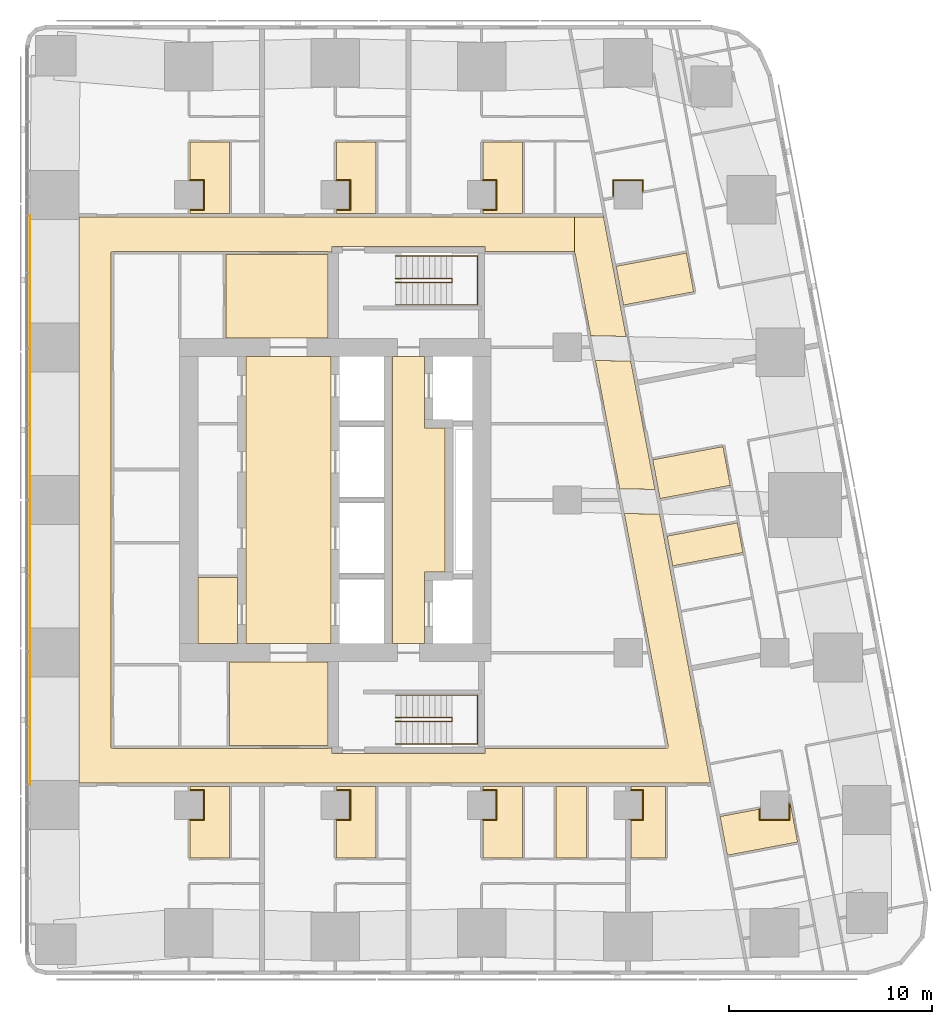
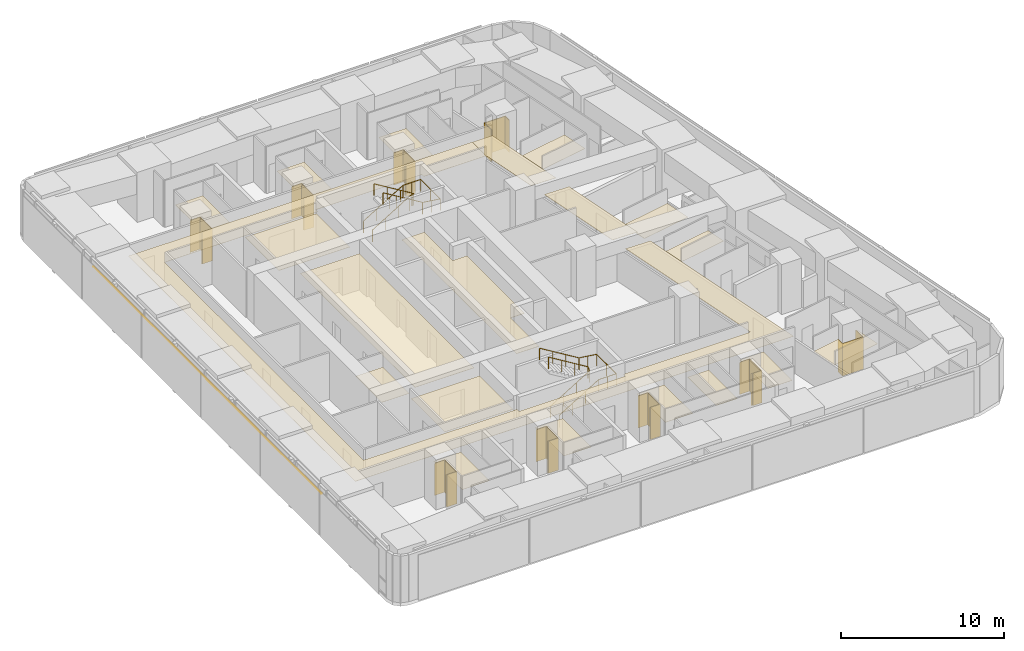
# One storey, part 17 of 17: 30 coverings, 4 railings.
"""IFC4 building model written with IfcOpenShell, lengths in metres."""

from ifc_helpers import new_model, si_unit, direction, frame, origin, origin_2d, place, context, subcontext, project, spatial, polyline, circle, outline, extrude, material, layer, layer_set, type_object, element, save


model = new_model("IFC4")

# Units and contexts
model_context = context("Model", 3, precision=1e-05, world=origin(), true_north=direction((0.0, 1.0)))
body_context = subcontext(model_context, "Body", "Model", "MODEL_VIEW")
ifc_project = project(units=[si_unit("LENGTHUNIT", "METRE"), si_unit("AREAUNIT", "SQUARE_METRE"), si_unit("VOLUMEUNIT", "CUBIC_METRE"), si_unit("PLANEANGLEUNIT", "RADIAN"), si_unit("MASSUNIT", "GRAM", prefix="KILO")], contexts=[model_context])

# Site, building, storey
site_placement = place(None, origin())
site = spatial("IfcSite", under=ifc_project, at=site_placement, CompositionType="ELEMENT")
building_placement = place(site_placement, origin())
building = spatial("IfcBuilding", under=site, at=building_placement, Name="Sheger Commons Tower", CompositionType="ELEMENT")
storey_placement = place(building_placement, frame((0.0, 0.0, 208.699951171875)))
storey = spatial("IfcBuildingStorey", under=building, at=storey_placement, Name="L53", CompositionType="ELEMENT", Elevation=208.699951171875)

# Railings
ifc_material_1 = material(Name="Steel handrail, black powder-coated", Category="steel")
railing_type = type_object("IfcRailingType", Name="HANDRAIL 900", PredefinedType="HANDRAIL", material=ifc_material_1)
railing_1_placement = place(storey_placement, frame((24.550048828125, 11.60009765625, 0.17041015625)))
element("IfcRailing", 1, at=railing_1_placement, inside=storey, type_object=railing_type, Name="Stair S1 handrail L53", PredefinedType="HANDRAIL", context=body_context, shape_type="SweptSolid", body=[
    extrude(circle(Radius=0.02392578125, at=origin_2d()), frame((0.0, 0.0, 0.8759765625), z_axis=(0.854169791009, 0.0, 0.51999420009), x_axis=(0.0, 1.0, 0.0)), (0.0, 0.0, 1.0), 3.278076171875),
    extrude(circle(Radius=0.02392578125, at=origin_2d()), frame((2.800048828125, 0.0, 2.58056640625), z_axis=(0.0, 0.761090297175, 0.648645943136), x_axis=(-1.0, 0.0, 0.0)), (0.0, 0.0, 1.0), 0.2626953125),
    extrude(circle(Radius=0.02392578125, at=origin_2d()), frame((2.800048828125, 0.199951171875, 2.7509765625), z_axis=(-0.854169791009, 0.0, 0.51999420009), x_axis=(0.0, -1.0, 0.0)), (0.0, 0.0, 1.0), 3.278076171875),
    extrude(circle(Radius=0.02099609375, at=origin_2d()), origin(), (0.0, 0.0, 1.0), 0.851806640625),
    extrude(circle(Radius=0.02099609375, at=origin_2d()), frame((0.933349609375, 0.0, 0.568115234375)), (0.0, 0.0, 1.0), 0.851806640625),
    extrude(circle(Radius=0.02099609375, at=origin_2d()), frame((1.86669921875, 0.0, 1.136474609375)), (0.0, 0.0, 1.0), 0.851806640625),
    extrude(circle(Radius=0.02099609375, at=origin_2d()), frame((2.800048828125, 0.0, 1.70458984375)), (0.0, 0.0, 1.0), 0.851806640625),
    extrude(circle(Radius=0.02099609375, at=origin_2d()), frame((2.800048828125, 0.199951171875, 1.875)), (0.0, 0.0, 1.0), 0.851806640625),
    extrude(circle(Radius=0.02099609375, at=origin_2d()), frame((1.86669921875, 0.199951171875, 2.443115234375)), (0.0, 0.0, 1.0), 0.851806640625),
    extrude(circle(Radius=0.02099609375, at=origin_2d()), frame((0.933349609375, 0.199951171875, 3.011474609375)), (0.0, 0.0, 1.0), 0.851806640625),
    extrude(circle(Radius=0.02099609375, at=origin_2d()), frame((0.0, 0.199951171875, 3.57958984375)), (0.0, 0.0, 1.0), 0.851806640625),
])
railing_2_placement = place(storey_placement, frame((24.550048828125, 10.5, 0.17041015625)))
element("IfcRailing", 2, at=railing_2_placement, inside=storey, type_object=railing_type, Name="Stair S1 handrail L53", PredefinedType="HANDRAIL", context=body_context, shape_type="SweptSolid", body=[
    extrude(circle(Radius=0.02392578125, at=origin_2d()), frame((0.0, 0.0, 0.8759765625), z_axis=(0.854169791009, 0.0, 0.51999420009), x_axis=(0.0, 1.0, 0.0)), (0.0, 0.0, 1.0), 3.278076171875),
    extrude(circle(Radius=0.02392578125, at=origin_2d()), frame((2.800048828125, 0.0, 2.58056640625), z_axis=(1.0, 0.0, 0.0), x_axis=(0.0, 1.0, 0.0)), (0.0, 0.0, 1.0), 1.25),
    extrude(circle(Radius=0.02392578125, at=origin_2d()), frame((4.050048828125, 0.0, 2.58056640625), z_axis=(0.0, 1.0, 0.0), x_axis=(-1.0, 0.0, 0.0)), (0.0, 0.0, 1.0), 2.39990234375),
    extrude(circle(Radius=0.02392578125, at=origin_2d()), frame((4.050048828125, 2.39990234375, 2.58056640625), z_axis=(-0.990834877927, 0.0, 0.135078661092), x_axis=(0.0, -1.0, 0.0)), (0.0, 0.0, 1.0), 1.261474609375),
    extrude(circle(Radius=0.02392578125, at=origin_2d()), frame((2.800048828125, 2.39990234375, 2.7509765625), z_axis=(-0.854169791009, 0.0, 0.51999420009), x_axis=(0.0, -1.0, 0.0)), (0.0, 0.0, 1.0), 3.278076171875),
    extrude(circle(Radius=0.02099609375, at=origin_2d()), origin(), (0.0, 0.0, 1.0), 0.851806640625),
    extrude(circle(Radius=0.02099609375, at=origin_2d()), frame((0.933349609375, 0.0, 0.568115234375)), (0.0, 0.0, 1.0), 0.851806640625),
    extrude(circle(Radius=0.02099609375, at=origin_2d()), frame((1.86669921875, 0.0, 1.136474609375)), (0.0, 0.0, 1.0), 0.851806640625),
    extrude(circle(Radius=0.02099609375, at=origin_2d()), frame((2.800048828125, 0.0, 1.70458984375)), (0.0, 0.0, 1.0), 0.851806640625),
    extrude(circle(Radius=0.02099609375, at=origin_2d()), frame((3.425048828125, 0.0, 1.70458984375)), (0.0, 0.0, 1.0), 0.851806640625),
    extrude(circle(Radius=0.02099609375, at=origin_2d()), frame((4.050048828125, 0.0, 1.70458984375)), (0.0, 0.0, 1.0), 0.851806640625),
    extrude(circle(Radius=0.02099609375, at=origin_2d()), frame((4.050048828125, 1.199951171875, 1.70458984375)), (0.0, 0.0, 1.0), 0.851806640625),
    extrude(circle(Radius=0.02099609375, at=origin_2d()), frame((4.050048828125, 2.39990234375, 1.70458984375)), (0.0, 0.0, 1.0), 0.851806640625),
    extrude(circle(Radius=0.02099609375, at=origin_2d()), frame((3.425048828125, 2.39990234375, 1.789794921875)), (0.0, 0.0, 1.0), 0.851806640625),
    extrude(circle(Radius=0.02099609375, at=origin_2d()), frame((2.800048828125, 2.39990234375, 1.875)), (0.0, 0.0, 1.0), 0.851806640625),
    extrude(circle(Radius=0.02099609375, at=origin_2d()), frame((1.86669921875, 2.39990234375, 2.443115234375)), (0.0, 0.0, 1.0), 0.851806640625),
    extrude(circle(Radius=0.02099609375, at=origin_2d()), frame((0.933349609375, 2.39990234375, 3.011474609375)), (0.0, 0.0, 1.0), 0.851806640625),
    extrude(circle(Radius=0.02099609375, at=origin_2d()), frame((0.0, 2.39990234375, 3.57958984375)), (0.0, 0.0, 1.0), 0.851806640625),
])
railing_3_placement = place(storey_placement, frame((24.550048828125, 33.39990234375, 0.17041015625)))
element("IfcRailing", 3, at=railing_3_placement, inside=storey, type_object=railing_type, Name="Stair S2 handrail L53", PredefinedType="HANDRAIL", context=body_context, shape_type="SweptSolid", body=[
    extrude(circle(Radius=0.02392578125, at=origin_2d()), frame((0.0, 0.0, 0.8759765625), z_axis=(0.854169791009, 0.0, 0.51999420009), x_axis=(0.0, 1.0, 0.0)), (0.0, 0.0, 1.0), 3.278076171875),
    extrude(circle(Radius=0.02392578125, at=origin_2d()), frame((2.800048828125, 0.0, 2.58056640625), z_axis=(0.0, -0.761090297175, 0.648645943136), x_axis=(1.0, 0.0, 0.0)), (0.0, 0.0, 1.0), 0.2626953125),
    extrude(circle(Radius=0.02392578125, at=origin_2d()), frame((2.800048828125, -0.199951171875, 2.7509765625), z_axis=(-0.854169791009, 0.0, 0.51999420009), x_axis=(0.0, -1.0, 0.0)), (0.0, 0.0, 1.0), 3.278076171875),
    extrude(circle(Radius=0.02099609375, at=origin_2d()), origin(), (0.0, 0.0, 1.0), 0.851806640625),
    extrude(circle(Radius=0.02099609375, at=origin_2d()), frame((0.933349609375, 0.0, 0.568115234375)), (0.0, 0.0, 1.0), 0.851806640625),
    extrude(circle(Radius=0.02099609375, at=origin_2d()), frame((1.86669921875, 0.0, 1.136474609375)), (0.0, 0.0, 1.0), 0.851806640625),
    extrude(circle(Radius=0.02099609375, at=origin_2d()), frame((2.800048828125, 0.0, 1.70458984375)), (0.0, 0.0, 1.0), 0.851806640625),
    extrude(circle(Radius=0.02099609375, at=origin_2d()), frame((2.800048828125, -0.199951171875, 1.875)), (0.0, 0.0, 1.0), 0.851806640625),
    extrude(circle(Radius=0.02099609375, at=origin_2d()), frame((1.86669921875, -0.199951171875, 2.443115234375)), (0.0, 0.0, 1.0), 0.851806640625),
    extrude(circle(Radius=0.02099609375, at=origin_2d()), frame((0.933349609375, -0.199951171875, 3.011474609375)), (0.0, 0.0, 1.0), 0.851806640625),
    extrude(circle(Radius=0.02099609375, at=origin_2d()), frame((0.0, -0.199951171875, 3.57958984375)), (0.0, 0.0, 1.0), 0.851806640625),
])
railing_4_placement = place(storey_placement, frame((24.550048828125, 34.5, 0.17041015625)))
element("IfcRailing", 4, at=railing_4_placement, inside=storey, type_object=railing_type, Name="Stair S2 handrail L53", PredefinedType="HANDRAIL", context=body_context, shape_type="SweptSolid", body=[
    extrude(circle(Radius=0.02392578125, at=origin_2d()), frame((0.0, 0.0, 0.8759765625), z_axis=(0.854169791009, 0.0, 0.51999420009), x_axis=(0.0, 1.0, 0.0)), (0.0, 0.0, 1.0), 3.278076171875),
    extrude(circle(Radius=0.02392578125, at=origin_2d()), frame((2.800048828125, 0.0, 2.58056640625), z_axis=(1.0, 0.0, 0.0), x_axis=(0.0, 1.0, 0.0)), (0.0, 0.0, 1.0), 1.25),
    extrude(circle(Radius=0.02392578125, at=origin_2d()), frame((4.050048828125, 0.0, 2.58056640625), z_axis=(0.0, -1.0, 0.0), x_axis=(1.0, 0.0, 0.0)), (0.0, 0.0, 1.0), 2.39990234375),
    extrude(circle(Radius=0.02392578125, at=origin_2d()), frame((4.050048828125, -2.39990234375, 2.58056640625), z_axis=(-0.990834877927, 0.0, 0.135078661092), x_axis=(0.0, -1.0, 0.0)), (0.0, 0.0, 1.0), 1.261474609375),
    extrude(circle(Radius=0.02392578125, at=origin_2d()), frame((2.800048828125, -2.39990234375, 2.7509765625), z_axis=(-0.854169791009, 0.0, 0.51999420009), x_axis=(0.0, -1.0, 0.0)), (0.0, 0.0, 1.0), 3.278076171875),
    extrude(circle(Radius=0.02099609375, at=origin_2d()), origin(), (0.0, 0.0, 1.0), 0.851806640625),
    extrude(circle(Radius=0.02099609375, at=origin_2d()), frame((0.933349609375, 0.0, 0.568115234375)), (0.0, 0.0, 1.0), 0.851806640625),
    extrude(circle(Radius=0.02099609375, at=origin_2d()), frame((1.86669921875, 0.0, 1.136474609375)), (0.0, 0.0, 1.0), 0.851806640625),
    extrude(circle(Radius=0.02099609375, at=origin_2d()), frame((2.800048828125, 0.0, 1.70458984375)), (0.0, 0.0, 1.0), 0.851806640625),
    extrude(circle(Radius=0.02099609375, at=origin_2d()), frame((3.425048828125, 0.0, 1.70458984375)), (0.0, 0.0, 1.0), 0.851806640625),
    extrude(circle(Radius=0.02099609375, at=origin_2d()), frame((4.050048828125, 0.0, 1.70458984375)), (0.0, 0.0, 1.0), 0.851806640625),
    extrude(circle(Radius=0.02099609375, at=origin_2d()), frame((4.050048828125, -1.199951171875, 1.70458984375)), (0.0, 0.0, 1.0), 0.851806640625),
    extrude(circle(Radius=0.02099609375, at=origin_2d()), frame((4.050048828125, -2.39990234375, 1.70458984375)), (0.0, 0.0, 1.0), 0.851806640625),
    extrude(circle(Radius=0.02099609375, at=origin_2d()), frame((3.425048828125, -2.39990234375, 1.789794921875)), (0.0, 0.0, 1.0), 0.851806640625),
    extrude(circle(Radius=0.02099609375, at=origin_2d()), frame((2.800048828125, -2.39990234375, 1.875)), (0.0, 0.0, 1.0), 0.851806640625),
    extrude(circle(Radius=0.02099609375, at=origin_2d()), frame((1.86669921875, -2.39990234375, 2.443115234375)), (0.0, 0.0, 1.0), 0.851806640625),
    extrude(circle(Radius=0.02099609375, at=origin_2d()), frame((0.933349609375, -2.39990234375, 3.011474609375)), (0.0, 0.0, 1.0), 0.851806640625),
    extrude(circle(Radius=0.02099609375, at=origin_2d()), frame((0.0, -2.39990234375, 3.57958984375)), (0.0, 0.0, 1.0), 0.851806640625),
])

# Coverings
ifc_material_2 = material(Name="Moisture-resistant gypsum plasterboard 15 mm on a suspended galvanised steel grid", Category="steel")
ifc_layer_1 = layer(ifc_material_2, 0.014892578125)
ifc_layer_set_1 = layer_set([ifc_layer_1], Name="MOISTURE-RESISTANT CEILING 15")
covering_type_1 = type_object("IfcCoveringType", Name="MOISTURE-RESISTANT CEILING 15", PredefinedType="CEILING", material=ifc_layer_set_1)
covering_1_placement = place(storey_placement, frame((0.0, 0.0, 2.400146484375)))
element("IfcCovering", 5, at=covering_1_placement, inside=storey, type_object=covering_type_1, Name="L53-01.B1 ceiling", PredefinedType="CEILING", context=body_context, shape_type="SweptSolid", body=[
    extrude(outline(polyline([(14.455078125, 4.905029296875), (16.39501953125, 4.905029296875), (16.39501953125, 8.419921875), (14.455078125, 8.419921875), (14.455078125, 8.205078125), (15.10498046875, 8.205078125), (15.10498046875, 6.794921875), (14.455078125, 6.794921875), (14.455078125, 4.905029296875)])), origin(), (0.0, 0.0, 1.0), 0.014892578125),
])
covering_2_placement = place(storey_placement, frame((0.0, 0.0, 2.400146484375)))
element("IfcCovering", 6, at=covering_2_placement, inside=storey, type_object=covering_type_1, Name="L53-02.B1 ceiling", PredefinedType="CEILING", context=body_context, shape_type="SweptSolid", body=[
    extrude(outline(polyline([(21.655029296875, 4.905029296875), (23.594970703125, 4.905029296875), (23.594970703125, 8.419921875), (21.655029296875, 8.419921875), (21.655029296875, 8.205078125), (22.304931640625, 8.205078125), (22.304931640625, 6.794921875), (21.655029296875, 6.794921875), (21.655029296875, 4.905029296875)])), origin(), (0.0, 0.0, 1.0), 0.014892578125),
])
covering_3_placement = place(storey_placement, frame((0.0, 0.0, 2.400146484375)))
element("IfcCovering", 7, at=covering_3_placement, inside=storey, type_object=covering_type_1, Name="L53-03.B1 ceiling", PredefinedType="CEILING", context=body_context, shape_type="SweptSolid", body=[
    extrude(outline(polyline([(28.85498046875, 4.905029296875), (30.794921875, 4.905029296875), (30.794921875, 8.419921875), (28.85498046875, 8.419921875), (28.85498046875, 8.205078125), (29.5048828125, 8.205078125), (29.5048828125, 6.794921875), (28.85498046875, 6.794921875), (28.85498046875, 4.905029296875)])), origin(), (0.0, 0.0, 1.0), 0.014892578125),
])
covering_4_placement = place(storey_placement, frame((0.0, 0.0, 2.400146484375)))
element("IfcCovering", 8, at=covering_4_placement, inside=storey, type_object=covering_type_1, Name="L53-03.B2 ceiling", PredefinedType="CEILING", context=body_context, shape_type="SweptSolid", body=[
    extrude(outline(polyline([(32.455078125, 4.905029296875), (33.945068359375, 4.905029296875), (33.945068359375, 8.419921875), (32.455078125, 8.419921875), (32.455078125, 4.905029296875)])), origin(), (0.0, 0.0, 1.0), 0.014892578125),
])
covering_5_placement = place(storey_placement, frame((0.0, 0.0, 2.400146484375)))
element("IfcCovering", 9, at=covering_5_placement, inside=storey, type_object=covering_type_1, Name="L53-04.B1 ceiling", PredefinedType="CEILING", context=body_context, shape_type="SweptSolid", body=[
    extrude(outline(polyline([(36.1298828125, 4.905029296875), (37.8349609375, 4.905029296875), (37.8349609375, 8.419921875), (36.1298828125, 8.419921875), (36.1298828125, 8.205078125), (36.705078125, 8.205078125), (36.705078125, 6.794921875), (36.1298828125, 6.794921875), (36.1298828125, 4.905029296875)])), origin(), (0.0, 0.0, 1.0), 0.014892578125),
])
covering_6_placement = place(storey_placement, frame((0.0, 0.0, 2.400146484375)))
element("IfcCovering", 10, at=covering_6_placement, inside=storey, type_object=covering_type_1, Name="L53-05.B1 ceiling", PredefinedType="CEILING", context=body_context, shape_type="SweptSolid", body=[
    extrude(outline(polyline([(35.77099609375, 32.083984375), (39.22412109375, 32.736083984375), (38.864013671875, 34.64208984375), (35.410888671875, 33.989990234375), (35.77099609375, 32.083984375)])), origin(), (0.0, 0.0, 1.0), 0.014892578125),
])
covering_7_placement = place(storey_placement, frame((0.0, 0.0, 2.400146484375)))
element("IfcCovering", 11, at=covering_7_placement, inside=storey, type_object=covering_type_1, Name="L53-06.B1 ceiling", PredefinedType="CEILING", context=body_context, shape_type="SweptSolid", body=[
    extrude(outline(polyline([(37.568115234375, 22.569091796875), (41.02197265625, 23.220947265625), (40.662109375, 25.1279296875), (37.2080078125, 24.47509765625), (37.568115234375, 22.569091796875)])), origin(), (0.0, 0.0, 1.0), 0.014892578125),
])
covering_8_placement = place(storey_placement, frame((0.0, 0.0, 2.400146484375)))
element("IfcCovering", 12, at=covering_8_placement, inside=storey, type_object=covering_type_1, Name="L53-06.B2 ceiling", PredefinedType="CEILING", context=body_context, shape_type="SweptSolid", body=[
    extrude(outline(polyline([(38.193115234375, 19.260986328125), (41.64697265625, 19.9140625), (41.37109375, 21.3779296875), (37.916015625, 20.72607421875), (38.193115234375, 19.260986328125)])), origin(), (0.0, 0.0, 1.0), 0.014892578125),
])
covering_9_placement = place(storey_placement, frame((0.0, 0.0, 2.400146484375)))
element("IfcCovering", 13, at=covering_9_placement, inside=storey, type_object=covering_type_1, Name="L53-07.B1 ceiling", PredefinedType="CEILING", context=body_context, shape_type="SweptSolid", body=[
    extrude(outline(polyline([(40.8798828125, 5.031982421875), (44.333984375, 5.68408203125), (43.97412109375, 7.591064453125), (43.9150390625, 7.580078125), (43.906982421875, 7.623046875), (43.905029296875, 7.623046875), (43.905029296875, 6.794921875), (42.4951171875, 6.794921875), (42.4951171875, 7.31103515625), (40.52001953125, 6.93798828125), (40.8798828125, 5.031982421875)])), origin(), (0.0, 0.0, 1.0), 0.014892578125),
])
covering_10_placement = place(storey_placement, frame((0.0, 0.0, 2.400146484375)))
element("IfcCovering", 14, at=covering_10_placement, inside=storey, type_object=covering_type_1, Name="L53-08.B1 ceiling", PredefinedType="CEILING", context=body_context, shape_type="SweptSolid", body=[
    extrude(outline(polyline([(14.455078125, 36.580078125), (16.39501953125, 36.580078125), (16.39501953125, 40.094970703125), (14.455078125, 40.094970703125), (14.455078125, 38.205078125), (15.10498046875, 38.205078125), (15.10498046875, 36.794921875), (14.455078125, 36.794921875), (14.455078125, 36.580078125)])), origin(), (0.0, 0.0, 1.0), 0.014892578125),
])
covering_11_placement = place(storey_placement, frame((0.0, 0.0, 2.400146484375)))
element("IfcCovering", 15, at=covering_11_placement, inside=storey, type_object=covering_type_1, Name="L53-09.B1 ceiling", PredefinedType="CEILING", context=body_context, shape_type="SweptSolid", body=[
    extrude(outline(polyline([(21.655029296875, 36.580078125), (23.594970703125, 36.580078125), (23.594970703125, 40.094970703125), (21.655029296875, 40.094970703125), (21.655029296875, 38.205078125), (22.304931640625, 38.205078125), (22.304931640625, 36.794921875), (21.655029296875, 36.794921875), (21.655029296875, 36.580078125)])), origin(), (0.0, 0.0, 1.0), 0.014892578125),
])
covering_12_placement = place(storey_placement, frame((0.0, 0.0, 2.400146484375)))
element("IfcCovering", 16, at=covering_12_placement, inside=storey, type_object=covering_type_1, Name="L53-10.B1 ceiling", PredefinedType="CEILING", context=body_context, shape_type="SweptSolid", body=[
    extrude(outline(polyline([(28.85498046875, 36.580078125), (30.794921875, 36.580078125), (30.794921875, 40.094970703125), (28.85498046875, 40.094970703125), (28.85498046875, 38.205078125), (29.5048828125, 38.205078125), (29.5048828125, 36.794921875), (28.85498046875, 36.794921875), (28.85498046875, 36.580078125)])), origin(), (0.0, 0.0, 1.0), 0.014892578125),
])
covering_13_placement = place(storey_placement, frame((0.0, 0.0, 2.400146484375)))
element("IfcCovering", 17, at=covering_13_placement, inside=storey, type_object=covering_type_1, Name="L53-CRB1 ceiling", PredefinedType="CEILING", context=body_context, shape_type="SweptSolid", body=[
    extrude(outline(polyline([(14.85498046875, 15.455078125), (16.794921875, 15.455078125), (16.794921875, 18.68310546875), (14.85498046875, 18.68310546875), (14.85498046875, 15.455078125)])), origin(), (0.0, 0.0, 1.0), 0.014892578125),
])
ifc_material_3 = material(Name="Gypsum plasterboard 15 mm on a suspended steel grid", Category="steel")
ifc_layer_2 = layer(ifc_material_3, 0.014892578125)
ifc_layer_set_2 = layer_set([ifc_layer_2], Name="SUSPENDED CEILING 15")
covering_type_2 = type_object("IfcCoveringType", Name="SUSPENDED CEILING 15", PredefinedType="CEILING", material=ifc_layer_set_2)
covering_14_placement = place(storey_placement, frame((0.0, 0.0, 2.699951171875)))
element("IfcCovering", 18, at=covering_14_placement, inside=storey, type_object=covering_type_2, Name="L53-CO ceiling", PredefinedType="CEILING", context=body_context, shape_type="SweptSolid", body=[
    extrude(outline(polyline([(6.554931640625, 8.5), (6.594970703125, 8.5), (6.594970703125, 36.5), (6.554931640625, 36.5), (6.554931640625, 8.5)])), origin(), (0.0, 0.0, 1.0), 0.01513671875),
])
covering_15_placement = place(storey_placement, frame((0.0, 0.0, 2.699951171875)))
element("IfcCovering", 19, at=covering_15_placement, inside=storey, type_object=covering_type_2, Name="L53-CO ceiling", PredefinedType="CEILING", context=body_context, shape_type="SweptSolid", body=[
    extrude(outline(polyline([(9.0048828125, 8.580078125), (40.047119140625, 8.580078125), (37.550048828125, 21.802978515625), (35.81103515625, 21.837890625), (37.967041015625, 10.4208984375), (37.949951171875, 10.4169921875), (37.971923828125, 10.300048828125), (37.841064453125, 10.300048828125), (37.841064453125, 10.281982421875), (28.955078125, 10.281982421875), (28.955078125, 10.044921875), (21.445068359375, 10.044921875), (21.445068359375, 10.300048828125), (21.2548828125, 10.300048828125), (21.2548828125, 10.281982421875), (10.7080078125, 10.281982421875), (10.7080078125, 10.294921875), (10.58203125, 10.294921875), (10.58203125, 34.705078125), (10.7080078125, 34.705078125), (10.7080078125, 34.718017578125), (21.2548828125, 34.718017578125), (21.2548828125, 34.699951171875), (21.445068359375, 34.699951171875), (21.445068359375, 34.955078125), (28.955078125, 34.955078125), (28.955078125, 34.718017578125), (33.3359375, 34.718017578125), (33.3359375, 34.699951171875), (33.361083984375, 34.699951171875), (33.361083984375, 36.419921875), (9.0048828125, 36.419921875), (9.0048828125, 8.580078125)])), origin(), (0.0, 0.0, 1.0), 0.01513671875),
])
covering_16_placement = place(storey_placement, frame((0.0, 0.0, 2.699951171875)))
element("IfcCovering", 20, at=covering_16_placement, inside=storey, type_object=covering_type_2, Name="L53-CO ceiling", PredefinedType="CEILING", context=body_context, shape_type="SweptSolid", body=[
    extrude(outline(polyline([(37.321044921875, 23.01806640625), (36.12890625, 29.323974609375), (34.388916015625, 29.363037109375), (35.5810546875, 23.052978515625), (37.321044921875, 23.01806640625)])), origin(), (0.0, 0.0, 1.0), 0.01513671875),
])
covering_17_placement = place(storey_placement, frame((0.0, 0.0, 2.699951171875)))
element("IfcCovering", 21, at=covering_17_placement, inside=storey, type_object=covering_type_2, Name="L53-CO ceiling", PredefinedType="CEILING", context=body_context, shape_type="SweptSolid", body=[
    extrude(outline(polyline([(35.89990234375, 30.5400390625), (34.77392578125, 36.5), (34.77001953125, 36.5), (34.77001953125, 36.419921875), (33.365966796875, 36.419921875), (33.365966796875, 34.697998046875), (33.364013671875, 34.697998046875), (33.382080078125, 34.60205078125), (33.39892578125, 34.60498046875), (34.159912109375, 30.5791015625), (35.89990234375, 30.5400390625)])), origin(), (0.0, 0.0, 1.0), 0.01513671875),
])
covering_18_placement = place(storey_placement, frame((0.0, 0.0, 2.699951171875)))
element("IfcCovering", 22, at=covering_18_placement, inside=storey, type_object=covering_type_2, Name="L53-SVS1 ceiling", PredefinedType="CEILING", context=body_context, shape_type="SweptSolid", body=[
    extrude(outline(polyline([(16.406982421875, 10.41796875), (21.2451171875, 10.41796875), (21.2451171875, 14.544921875), (16.406982421875, 14.544921875), (16.406982421875, 10.41796875)])), origin(), (0.0, 0.0, 1.0), 0.01513671875),
])
covering_19_placement = place(storey_placement, frame((0.0, 0.0, 2.699951171875)))
element("IfcCovering", 23, at=covering_19_placement, inside=storey, type_object=covering_type_2, Name="L53-SVN1 ceiling", PredefinedType="CEILING", context=body_context, shape_type="SweptSolid", body=[
    extrude(outline(polyline([(16.217041015625, 30.455078125), (21.2451171875, 30.455078125), (21.2451171875, 34.58203125), (16.217041015625, 34.58203125), (16.217041015625, 30.455078125)])), origin(), (0.0, 0.0, 1.0), 0.01513671875),
])
covering_20_placement = place(storey_placement, frame((0.0, 0.0, 2.699951171875)))
element("IfcCovering", 24, at=covering_20_placement, inside=storey, type_object=covering_type_2, Name="L53-LL ceiling", PredefinedType="CEILING", context=body_context, shape_type="SweptSolid", body=[
    extrude(outline(polyline([(17.205078125, 15.455078125), (21.39990234375, 15.455078125), (21.39990234375, 29.544921875), (17.205078125, 29.544921875), (17.205078125, 15.455078125)])), origin(), (0.0, 0.0, 1.0), 0.01513671875),
])
covering_21_placement = place(storey_placement, frame((0.0, 0.0, 2.699951171875)))
element("IfcCovering", 25, at=covering_21_placement, inside=storey, type_object=covering_type_2, Name="L53-FL ceiling", PredefinedType="CEILING", context=body_context, shape_type="SweptSolid", body=[
    extrude(outline(polyline([(24.405029296875, 15.455078125), (25.9951171875, 15.455078125), (25.9951171875, 18.955078125), (26.9951171875, 18.955078125), (26.9951171875, 26.044921875), (25.9951171875, 26.044921875), (25.9951171875, 29.544921875), (24.405029296875, 29.544921875), (24.405029296875, 15.455078125)])), origin(), (0.0, 0.0, 1.0), 0.01513671875),
])
ifc_material_4 = material(Name="Moisture-resistant gypsum board 12.5 mm on 25 mm treated timber battens, tanked and tiled", Category="wood")
ifc_layer_3 = layer(ifc_material_4, 0.050048828125)
ifc_layer_set_3 = layer_set([ifc_layer_3], Name="WET-ROOM COLUMN LINING")
covering_type_3 = type_object("IfcCoveringType", Name="WET-ROOM COLUMN LINING", PredefinedType="CLADDING", material=ifc_layer_set_3)
covering_22_placement = place(storey_placement, origin())
element("IfcCovering", 26, at=covering_22_placement, inside=storey, type_object=covering_type_3, Name="Bathroom column lining C11 L53", PredefinedType="CLADDING", context=body_context, shape_type="SweptSolid", body=[
    extrude(outline(polyline([(15.14990234375, 6.75), (14.449951171875, 6.75), (14.449951171875, 6.799072265625), (14.39990234375, 6.799072265625), (14.39990234375, 6.800048828125), (15.10009765625, 6.800048828125), (15.10009765625, 8.199951171875), (14.39990234375, 8.199951171875), (14.39990234375, 8.200927734375), (14.449951171875, 8.200927734375), (14.449951171875, 8.25), (15.14990234375, 8.25), (15.14990234375, 6.75)])), origin(), (0.0, 0.0, 1.0), 2.400146484375),
])
covering_23_placement = place(storey_placement, origin())
element("IfcCovering", 27, at=covering_23_placement, inside=storey, type_object=covering_type_3, Name="Bathroom column lining C11 L53", PredefinedType="CLADDING", context=body_context, shape_type="SweptSolid", body=[
    extrude(outline(polyline([(22.35009765625, 6.75), (21.64990234375, 6.75), (21.64990234375, 6.799072265625), (21.60009765625, 6.799072265625), (21.60009765625, 6.800048828125), (22.300048828125, 6.800048828125), (22.300048828125, 8.199951171875), (21.60009765625, 8.199951171875), (21.60009765625, 8.200927734375), (21.64990234375, 8.200927734375), (21.64990234375, 8.25), (22.35009765625, 8.25), (22.35009765625, 6.75)])), origin(), (0.0, 0.0, 1.0), 2.400146484375),
])
covering_24_placement = place(storey_placement, origin())
element("IfcCovering", 28, at=covering_24_placement, inside=storey, type_object=covering_type_3, Name="Bathroom column lining C11 L53", PredefinedType="CLADDING", context=body_context, shape_type="SweptSolid", body=[
    extrude(outline(polyline([(29.550048828125, 6.75), (28.85009765625, 6.75), (28.85009765625, 6.799072265625), (28.800048828125, 6.799072265625), (28.800048828125, 6.800048828125), (29.5, 6.800048828125), (29.5, 8.199951171875), (28.800048828125, 8.199951171875), (28.800048828125, 8.200927734375), (28.85009765625, 8.200927734375), (28.85009765625, 8.25), (29.550048828125, 8.25), (29.550048828125, 6.75)])), origin(), (0.0, 0.0, 1.0), 2.400146484375),
])
covering_25_placement = place(storey_placement, origin())
element("IfcCovering", 29, at=covering_25_placement, inside=storey, type_object=covering_type_3, Name="Shower room column lining C11 L53", PredefinedType="CLADDING", context=body_context, shape_type="SweptSolid", body=[
    extrude(outline(polyline([(36.75, 6.75), (36.125, 6.75), (36.125, 6.799072265625), (36.0, 6.799072265625), (36.0, 6.800048828125), (36.699951171875, 6.800048828125), (36.699951171875, 8.199951171875), (36.0, 8.199951171875), (36.0, 8.200927734375), (36.125, 8.200927734375), (36.125, 8.25), (36.75, 8.25), (36.75, 6.75)])), origin(), (0.0, 0.0, 1.0), 2.400146484375),
])
covering_26_placement = place(storey_placement, origin())
element("IfcCovering", 30, at=covering_26_placement, inside=storey, type_object=covering_type_3, Name="Bathroom column lining C11 L53", PredefinedType="CLADDING", context=body_context, shape_type="SweptSolid", body=[
    extrude(outline(polyline([(42.5, 7.367919921875), (42.5, 6.800048828125), (43.89990234375, 6.800048828125), (43.89990234375, 7.633056640625), (43.909912109375, 7.635009765625), (43.9189453125, 7.5859375), (43.949951171875, 7.592041015625), (43.949951171875, 6.75), (42.449951171875, 6.75), (42.449951171875, 7.30810546875), (42.4990234375, 7.31689453125), (42.489990234375, 7.365966796875), (42.5, 7.367919921875)])), origin(), (0.0, 0.0, 1.0), 2.400146484375),
])
covering_27_placement = place(storey_placement, origin())
element("IfcCovering", 31, at=covering_27_placement, inside=storey, type_object=covering_type_3, Name="Bathroom column lining C11 L53", PredefinedType="CLADDING", context=body_context, shape_type="SweptSolid", body=[
    extrude(outline(polyline([(15.14990234375, 36.75), (14.449951171875, 36.75), (14.449951171875, 36.799072265625), (14.39990234375, 36.799072265625), (14.39990234375, 36.800048828125), (15.10009765625, 36.800048828125), (15.10009765625, 38.199951171875), (14.39990234375, 38.199951171875), (14.39990234375, 38.200927734375), (14.449951171875, 38.200927734375), (14.449951171875, 38.25), (15.14990234375, 38.25), (15.14990234375, 36.75)])), origin(), (0.0, 0.0, 1.0), 2.400146484375),
])
covering_28_placement = place(storey_placement, origin())
element("IfcCovering", 32, at=covering_28_placement, inside=storey, type_object=covering_type_3, Name="Bathroom column lining C11 L53", PredefinedType="CLADDING", context=body_context, shape_type="SweptSolid", body=[
    extrude(outline(polyline([(22.35009765625, 36.75), (21.64990234375, 36.75), (21.64990234375, 36.799072265625), (21.60009765625, 36.799072265625), (21.60009765625, 36.800048828125), (22.300048828125, 36.800048828125), (22.300048828125, 38.199951171875), (21.60009765625, 38.199951171875), (21.60009765625, 38.200927734375), (21.64990234375, 38.200927734375), (21.64990234375, 38.25), (22.35009765625, 38.25), (22.35009765625, 36.75)])), origin(), (0.0, 0.0, 1.0), 2.400146484375),
])
covering_29_placement = place(storey_placement, origin())
element("IfcCovering", 33, at=covering_29_placement, inside=storey, type_object=covering_type_3, Name="Bathroom column lining C11 L53", PredefinedType="CLADDING", context=body_context, shape_type="SweptSolid", body=[
    extrude(outline(polyline([(29.550048828125, 36.75), (28.85009765625, 36.75), (28.85009765625, 36.799072265625), (28.800048828125, 36.799072265625), (28.800048828125, 36.800048828125), (29.5, 36.800048828125), (29.5, 38.199951171875), (28.800048828125, 38.199951171875), (28.800048828125, 38.200927734375), (28.85009765625, 38.200927734375), (28.85009765625, 38.25), (29.550048828125, 38.25), (29.550048828125, 36.75)])), origin(), (0.0, 0.0, 1.0), 2.400146484375),
])
covering_30_placement = place(storey_placement, origin())
element("IfcCovering", 34, at=covering_30_placement, inside=storey, type_object=covering_type_3, Name="Laundry room column lining C11 L53", PredefinedType="CLADDING", context=body_context, shape_type="SweptSolid", body=[
    extrude(outline(polyline([(36.75, 38.25), (36.75, 37.69189453125), (36.700927734375, 37.68310546875), (36.7099609375, 37.635009765625), (36.699951171875, 37.633056640625), (36.699951171875, 38.199951171875), (35.300048828125, 38.199951171875), (35.300048828125, 37.367919921875), (35.2900390625, 37.365966796875), (35.281005859375, 37.4150390625), (35.25, 37.408935546875), (35.25, 38.25), (36.75, 38.25)])), origin(), (0.0, 0.0, 1.0), 2.400146484375),
])

save(model, "model.ifc")
